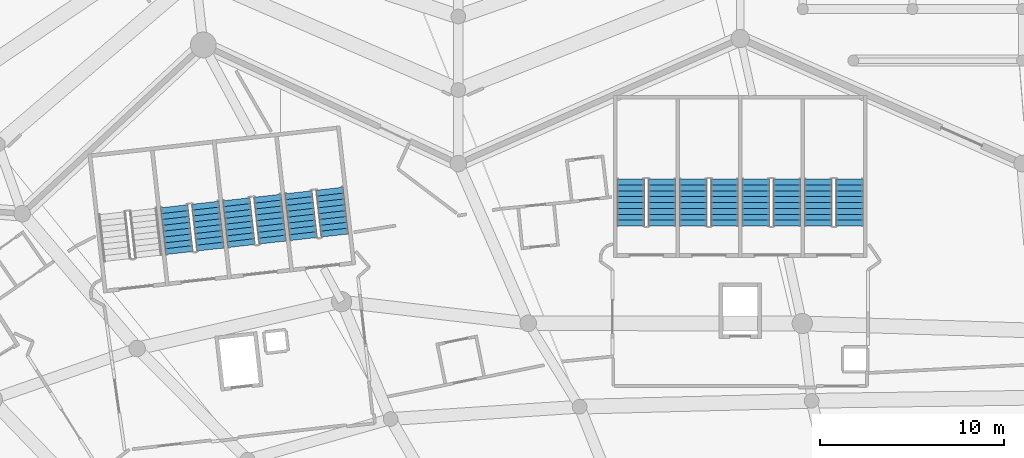
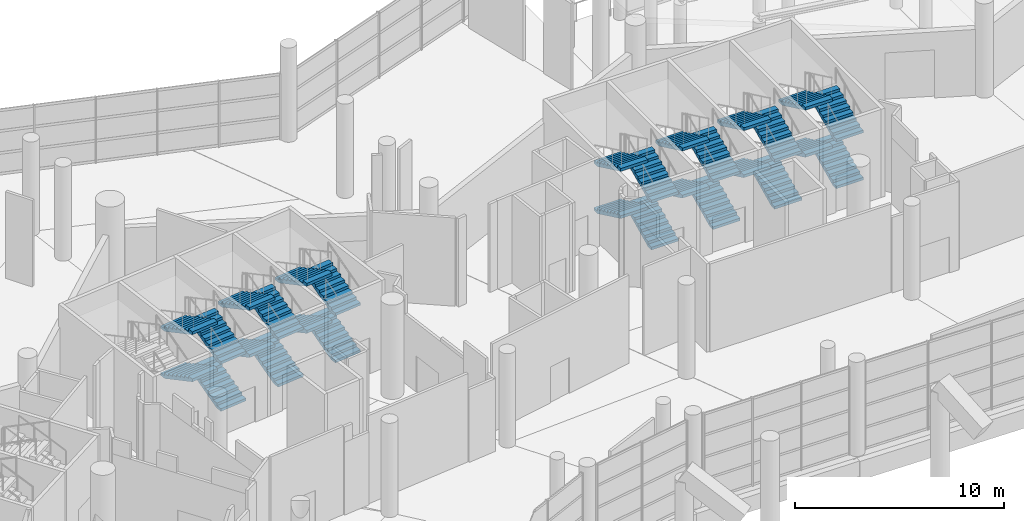
# One storey, part 216 of 271: 28 stair flights, 7 elements without a shape of their own.
"""IFC4 building model written with IfcOpenShell, lengths in metres."""

from ifc_helpers import new_model, si_unit, direction, frame, origin, place, context, subcontext, project, spatial, polyline, outline, extrude, material, type_object, element, aggregate, save


model = new_model("IFC4")

# Units and contexts
model_context = context("Model", 3, precision=1e-05, world=origin(), true_north=direction((0.0, 1.0)))
body_context = subcontext(model_context, "Body", "Model", "MODEL_VIEW")
ifc_project = project(units=[si_unit("LENGTHUNIT", "METRE"), si_unit("AREAUNIT", "SQUARE_METRE"), si_unit("VOLUMEUNIT", "CUBIC_METRE"), si_unit("PLANEANGLEUNIT", "RADIAN"), si_unit("MASSUNIT", "GRAM", prefix="KILO")], contexts=[model_context])

# Site, building, storey
site_placement = place(None, origin())
site = spatial("IfcSite", under=ifc_project, at=site_placement, CompositionType="ELEMENT")
building_placement = place(site_placement, origin())
building = spatial("IfcBuilding", under=site, at=building_placement, Name="Meseta Stadium", CompositionType="ELEMENT")
storey_placement = place(building_placement, frame((0.0, 0.0, 6.5)))
storey = spatial("IfcBuildingStorey", under=building, at=storey_placement, Name="L01", CompositionType="ELEMENT", Elevation=6.5)

# Stair, stair flights
ifc_material_1 = material(Name="Concrete C40/50", Category="concrete")
stair_type = type_object("IfcStairType", Name="Exit stair 4 flights 153 mm risers", PredefinedType="HALF_TURN_STAIR", material=ifc_material_1)
stair_1_placement = place(storey_placement, origin())
stair_1 = element("IfcStair", 1, at=stair_1_placement, inside=storey, type_object=stair_type, Name="ST41 L01", PredefinedType="HALF_TURN_STAIR")
ifc_material_2 = material(Name="Concrete C40/50", Category="concrete")
stair_flight_type = type_object("IfcStairFlightType", Name="Exit stair flight 153 mm risers, 4 per storey", PredefinedType="STRAIGHT", material=ifc_material_2)
stair_flight_1_placement = place(storey_placement, frame((-17.050048828125, 95.199951171875, 0.0), z_axis=(0.0, 0.0, 1.0), x_axis=(0.0, 1.0, 0.0)))
stair_flight_1 = element("IfcStairFlight", 2, at=stair_flight_1_placement, type_object=stair_flight_type, Name="ST41 L01 flight 1", NumberOfRisers=9, NumberOfTreads=8, PredefinedType="STRAIGHT", RiserHeight=0.152777778, TreadLength=0.32, context=body_context, shape_type="SweptSolid", body=[
    extrude(outline(polyline([(0.0, 0.0), (0.0, 0.15283203125), (0.320068359375, 0.15283203125), (0.320068359375, 0.3056640625), (0.639892578125, 0.3056640625), (0.639892578125, 0.458251953125), (0.9599609375, 0.458251953125), (0.9599609375, 0.611083984375), (1.280029296875, 0.611083984375), (1.280029296875, 0.763916015625), (1.60009765625, 0.763916015625), (1.60009765625, 0.916748046875), (1.919921875, 0.916748046875), (1.919921875, 1.0693359375), (2.239990234375, 1.0693359375), (2.239990234375, 1.22216796875), (2.56005859375, 1.22216796875), (2.56005859375, 1.05615234375), (0.347900390625, 0.0), (0.0, 0.0)])), frame((0.0, 0.75, 0.0), z_axis=(0.0, -1.0, 0.0), x_axis=(1.0, 0.0, 0.0)), (0.0, 0.0, 1.0), 1.5),
])
stair_flight_2_placement = place(storey_placement, frame((-18.75, 97.760009765625, 1.375), z_axis=(0.0, 0.0, 1.0), x_axis=(0.0, -1.0, 0.0)))
stair_flight_2 = element("IfcStairFlight", 3, at=stair_flight_2_placement, type_object=stair_flight_type, Name="ST41 L01 flight 2", NumberOfRisers=9, NumberOfTreads=8, PredefinedType="STRAIGHT", RiserHeight=0.152777778, TreadLength=0.32, context=body_context, shape_type="SweptSolid", body=[
    extrude(outline(polyline([(0.0, 0.0), (0.0, 0.15283203125), (0.320068359375, 0.15283203125), (0.320068359375, 0.3056640625), (0.639892578125, 0.3056640625), (0.639892578125, 0.458251953125), (0.9599609375, 0.458251953125), (0.9599609375, 0.611083984375), (1.280029296875, 0.611083984375), (1.280029296875, 0.763916015625), (1.60009765625, 0.763916015625), (1.60009765625, 0.916748046875), (1.919921875, 0.916748046875), (1.919921875, 1.0693359375), (2.239990234375, 1.0693359375), (2.239990234375, 1.22216796875), (2.56005859375, 1.22216796875), (2.56005859375, 1.05615234375), (0.347900390625, 0.0), (0.0, 0.0)])), frame((0.0, 0.75, 0.0), z_axis=(0.0, -1.0, 0.0), x_axis=(1.0, 0.0, 0.0)), (0.0, 0.0, 1.0), 1.5),
])
stair_flight_3_placement = place(storey_placement, frame((-17.050048828125, 95.199951171875, 2.75), z_axis=(0.0, 0.0, 1.0), x_axis=(0.0, 1.0, 0.0)))
stair_flight_3 = element("IfcStairFlight", 4, at=stair_flight_3_placement, type_object=stair_flight_type, Name="ST41 L01 flight 3", NumberOfRisers=9, NumberOfTreads=8, PredefinedType="STRAIGHT", RiserHeight=0.152777778, TreadLength=0.32, context=body_context, shape_type="SweptSolid", body=[
    extrude(outline(polyline([(0.0, 0.0), (0.0, 0.15283203125), (0.320068359375, 0.15283203125), (0.320068359375, 0.3056640625), (0.639892578125, 0.3056640625), (0.639892578125, 0.458251953125), (0.9599609375, 0.458251953125), (0.9599609375, 0.611083984375), (1.280029296875, 0.611083984375), (1.280029296875, 0.763916015625), (1.60009765625, 0.763916015625), (1.60009765625, 0.916748046875), (1.919921875, 0.916748046875), (1.919921875, 1.0693359375), (2.239990234375, 1.0693359375), (2.239990234375, 1.22216796875), (2.56005859375, 1.22216796875), (2.56005859375, 1.05615234375), (0.347900390625, 0.0), (0.0, 0.0)])), frame((0.0, 0.75, 0.0), z_axis=(0.0, -1.0, 0.0), x_axis=(1.0, 0.0, 0.0)), (0.0, 0.0, 1.0), 1.5),
])
stair_flight_4_placement = place(storey_placement, frame((-18.75, 97.760009765625, 4.125), z_axis=(0.0, 0.0, 1.0), x_axis=(0.0, -1.0, 0.0)))
stair_flight_4 = element("IfcStairFlight", 5, at=stair_flight_4_placement, type_object=stair_flight_type, Name="ST41 L01 flight 4", NumberOfRisers=9, NumberOfTreads=8, PredefinedType="STRAIGHT", RiserHeight=0.152777778, TreadLength=0.32, context=body_context, shape_type="SweptSolid", body=[
    extrude(outline(polyline([(0.0, 0.0), (0.0, 0.15283203125), (0.320068359375, 0.15283203125), (0.320068359375, 0.3056640625), (0.639892578125, 0.3056640625), (0.639892578125, 0.458251953125), (0.9599609375, 0.458251953125), (0.9599609375, 0.611083984375), (1.280029296875, 0.611083984375), (1.280029296875, 0.763916015625), (1.60009765625, 0.763916015625), (1.60009765625, 0.916748046875), (1.919921875, 0.916748046875), (1.919921875, 1.0693359375), (2.239990234375, 1.0693359375), (2.239990234375, 1.22216796875), (2.56005859375, 1.22216796875), (2.56005859375, 1.05615234375), (0.347900390625, 0.0), (0.0, 0.0)])), frame((0.0, 0.75, 0.0), z_axis=(0.0, -1.0, 0.0), x_axis=(1.0, 0.0, 0.0)), (0.0, 0.0, 1.0), 1.5),
])
aggregate(stair_1, [stair_flight_1, stair_flight_2, stair_flight_3, stair_flight_4])

stair_2_placement = place(storey_placement, origin())
stair_2 = element("IfcStair", 6, at=stair_2_placement, inside=storey, type_object=stair_type, Name="ST42 L01", PredefinedType="HALF_TURN_STAIR")
stair_flight_5_placement = place(storey_placement, frame((-20.449951171875, 95.199951171875, 0.0), z_axis=(0.0, 0.0, 1.0), x_axis=(0.0, 1.0, 0.0)))
stair_flight_5 = element("IfcStairFlight", 7, at=stair_flight_5_placement, type_object=stair_flight_type, Name="ST42 L01 flight 1", NumberOfRisers=9, NumberOfTreads=8, PredefinedType="STRAIGHT", RiserHeight=0.152777778, TreadLength=0.32, context=body_context, shape_type="SweptSolid", body=[
    extrude(outline(polyline([(0.0, 0.0), (0.0, 0.15283203125), (0.320068359375, 0.15283203125), (0.320068359375, 0.3056640625), (0.639892578125, 0.3056640625), (0.639892578125, 0.458251953125), (0.9599609375, 0.458251953125), (0.9599609375, 0.611083984375), (1.280029296875, 0.611083984375), (1.280029296875, 0.763916015625), (1.60009765625, 0.763916015625), (1.60009765625, 0.916748046875), (1.919921875, 0.916748046875), (1.919921875, 1.0693359375), (2.239990234375, 1.0693359375), (2.239990234375, 1.22216796875), (2.56005859375, 1.22216796875), (2.56005859375, 1.05615234375), (0.347900390625, 0.0), (0.0, 0.0)])), frame((0.0, 0.75, 0.0), z_axis=(0.0, -1.0, 0.0), x_axis=(1.0, 0.0, 0.0)), (0.0, 0.0, 1.0), 1.5),
])
stair_flight_6_placement = place(storey_placement, frame((-22.14990234375, 97.760009765625, 1.375), z_axis=(0.0, 0.0, 1.0), x_axis=(0.0, -1.0, 0.0)))
stair_flight_6 = element("IfcStairFlight", 8, at=stair_flight_6_placement, type_object=stair_flight_type, Name="ST42 L01 flight 2", NumberOfRisers=9, NumberOfTreads=8, PredefinedType="STRAIGHT", RiserHeight=0.152777778, TreadLength=0.32, context=body_context, shape_type="SweptSolid", body=[
    extrude(outline(polyline([(0.0, 0.0), (0.0, 0.15283203125), (0.320068359375, 0.15283203125), (0.320068359375, 0.3056640625), (0.639892578125, 0.3056640625), (0.639892578125, 0.458251953125), (0.9599609375, 0.458251953125), (0.9599609375, 0.611083984375), (1.280029296875, 0.611083984375), (1.280029296875, 0.763916015625), (1.60009765625, 0.763916015625), (1.60009765625, 0.916748046875), (1.919921875, 0.916748046875), (1.919921875, 1.0693359375), (2.239990234375, 1.0693359375), (2.239990234375, 1.22216796875), (2.56005859375, 1.22216796875), (2.56005859375, 1.05615234375), (0.347900390625, 0.0), (0.0, 0.0)])), frame((0.0, 0.75, 0.0), z_axis=(0.0, -1.0, 0.0), x_axis=(1.0, 0.0, 0.0)), (0.0, 0.0, 1.0), 1.5),
])
stair_flight_7_placement = place(storey_placement, frame((-20.449951171875, 95.199951171875, 2.75), z_axis=(0.0, 0.0, 1.0), x_axis=(0.0, 1.0, 0.0)))
stair_flight_7 = element("IfcStairFlight", 9, at=stair_flight_7_placement, type_object=stair_flight_type, Name="ST42 L01 flight 3", NumberOfRisers=9, NumberOfTreads=8, PredefinedType="STRAIGHT", RiserHeight=0.152777778, TreadLength=0.32, context=body_context, shape_type="SweptSolid", body=[
    extrude(outline(polyline([(0.0, 0.0), (0.0, 0.15283203125), (0.320068359375, 0.15283203125), (0.320068359375, 0.3056640625), (0.639892578125, 0.3056640625), (0.639892578125, 0.458251953125), (0.9599609375, 0.458251953125), (0.9599609375, 0.611083984375), (1.280029296875, 0.611083984375), (1.280029296875, 0.763916015625), (1.60009765625, 0.763916015625), (1.60009765625, 0.916748046875), (1.919921875, 0.916748046875), (1.919921875, 1.0693359375), (2.239990234375, 1.0693359375), (2.239990234375, 1.22216796875), (2.56005859375, 1.22216796875), (2.56005859375, 1.05615234375), (0.347900390625, 0.0), (0.0, 0.0)])), frame((0.0, 0.75, 0.0), z_axis=(0.0, -1.0, 0.0), x_axis=(1.0, 0.0, 0.0)), (0.0, 0.0, 1.0), 1.5),
])
stair_flight_8_placement = place(storey_placement, frame((-22.14990234375, 97.760009765625, 4.125), z_axis=(0.0, 0.0, 1.0), x_axis=(0.0, -1.0, 0.0)))
stair_flight_8 = element("IfcStairFlight", 10, at=stair_flight_8_placement, type_object=stair_flight_type, Name="ST42 L01 flight 4", NumberOfRisers=9, NumberOfTreads=8, PredefinedType="STRAIGHT", RiserHeight=0.152777778, TreadLength=0.32, context=body_context, shape_type="SweptSolid", body=[
    extrude(outline(polyline([(0.0, 0.0), (0.0, 0.15283203125), (0.320068359375, 0.15283203125), (0.320068359375, 0.3056640625), (0.639892578125, 0.3056640625), (0.639892578125, 0.458251953125), (0.9599609375, 0.458251953125), (0.9599609375, 0.611083984375), (1.280029296875, 0.611083984375), (1.280029296875, 0.763916015625), (1.60009765625, 0.763916015625), (1.60009765625, 0.916748046875), (1.919921875, 0.916748046875), (1.919921875, 1.0693359375), (2.239990234375, 1.0693359375), (2.239990234375, 1.22216796875), (2.56005859375, 1.22216796875), (2.56005859375, 1.05615234375), (0.347900390625, 0.0), (0.0, 0.0)])), frame((0.0, 0.75, 0.0), z_axis=(0.0, -1.0, 0.0), x_axis=(1.0, 0.0, 0.0)), (0.0, 0.0, 1.0), 1.5),
])
aggregate(stair_2, [stair_flight_5, stair_flight_6, stair_flight_7, stair_flight_8])

stair_3_placement = place(storey_placement, origin())
stair_3 = element("IfcStair", 11, at=stair_3_placement, inside=storey, type_object=stair_type, Name="ST43 L01", PredefinedType="HALF_TURN_STAIR")
stair_flight_9_placement = place(storey_placement, frame((-23.85009765625, 95.199951171875, 0.0), z_axis=(0.0, 0.0, 1.0), x_axis=(0.0, 1.0, 0.0)))
stair_flight_9 = element("IfcStairFlight", 12, at=stair_flight_9_placement, type_object=stair_flight_type, Name="ST43 L01 flight 1", NumberOfRisers=9, NumberOfTreads=8, PredefinedType="STRAIGHT", RiserHeight=0.152777778, TreadLength=0.32, context=body_context, shape_type="SweptSolid", body=[
    extrude(outline(polyline([(0.0, 0.0), (0.0, 0.15283203125), (0.320068359375, 0.15283203125), (0.320068359375, 0.3056640625), (0.639892578125, 0.3056640625), (0.639892578125, 0.458251953125), (0.9599609375, 0.458251953125), (0.9599609375, 0.611083984375), (1.280029296875, 0.611083984375), (1.280029296875, 0.763916015625), (1.60009765625, 0.763916015625), (1.60009765625, 0.916748046875), (1.919921875, 0.916748046875), (1.919921875, 1.0693359375), (2.239990234375, 1.0693359375), (2.239990234375, 1.22216796875), (2.56005859375, 1.22216796875), (2.56005859375, 1.05615234375), (0.347900390625, 0.0), (0.0, 0.0)])), frame((0.0, 0.75, 0.0), z_axis=(0.0, -1.0, 0.0), x_axis=(1.0, 0.0, 0.0)), (0.0, 0.0, 1.0), 1.5),
])
stair_flight_10_placement = place(storey_placement, frame((-25.550048828125, 97.760009765625, 1.375), z_axis=(0.0, 0.0, 1.0), x_axis=(0.0, -1.0, 0.0)))
stair_flight_10 = element("IfcStairFlight", 13, at=stair_flight_10_placement, type_object=stair_flight_type, Name="ST43 L01 flight 2", NumberOfRisers=9, NumberOfTreads=8, PredefinedType="STRAIGHT", RiserHeight=0.152777778, TreadLength=0.32, context=body_context, shape_type="SweptSolid", body=[
    extrude(outline(polyline([(0.0, 0.0), (0.0, 0.15283203125), (0.320068359375, 0.15283203125), (0.320068359375, 0.3056640625), (0.639892578125, 0.3056640625), (0.639892578125, 0.458251953125), (0.9599609375, 0.458251953125), (0.9599609375, 0.611083984375), (1.280029296875, 0.611083984375), (1.280029296875, 0.763916015625), (1.60009765625, 0.763916015625), (1.60009765625, 0.916748046875), (1.919921875, 0.916748046875), (1.919921875, 1.0693359375), (2.239990234375, 1.0693359375), (2.239990234375, 1.22216796875), (2.56005859375, 1.22216796875), (2.56005859375, 1.05615234375), (0.347900390625, 0.0), (0.0, 0.0)])), frame((0.0, 0.75, 0.0), z_axis=(0.0, -1.0, 0.0), x_axis=(1.0, 0.0, 0.0)), (0.0, 0.0, 1.0), 1.5),
])
stair_flight_11_placement = place(storey_placement, frame((-23.85009765625, 95.199951171875, 2.75), z_axis=(0.0, 0.0, 1.0), x_axis=(0.0, 1.0, 0.0)))
stair_flight_11 = element("IfcStairFlight", 14, at=stair_flight_11_placement, type_object=stair_flight_type, Name="ST43 L01 flight 3", NumberOfRisers=9, NumberOfTreads=8, PredefinedType="STRAIGHT", RiserHeight=0.152777778, TreadLength=0.32, context=body_context, shape_type="SweptSolid", body=[
    extrude(outline(polyline([(0.0, 0.0), (0.0, 0.15283203125), (0.320068359375, 0.15283203125), (0.320068359375, 0.3056640625), (0.639892578125, 0.3056640625), (0.639892578125, 0.458251953125), (0.9599609375, 0.458251953125), (0.9599609375, 0.611083984375), (1.280029296875, 0.611083984375), (1.280029296875, 0.763916015625), (1.60009765625, 0.763916015625), (1.60009765625, 0.916748046875), (1.919921875, 0.916748046875), (1.919921875, 1.0693359375), (2.239990234375, 1.0693359375), (2.239990234375, 1.22216796875), (2.56005859375, 1.22216796875), (2.56005859375, 1.05615234375), (0.347900390625, 0.0), (0.0, 0.0)])), frame((0.0, 0.75, 0.0), z_axis=(0.0, -1.0, 0.0), x_axis=(1.0, 0.0, 0.0)), (0.0, 0.0, 1.0), 1.5),
])
stair_flight_12_placement = place(storey_placement, frame((-25.550048828125, 97.760009765625, 4.125), z_axis=(0.0, 0.0, 1.0), x_axis=(0.0, -1.0, 0.0)))
stair_flight_12 = element("IfcStairFlight", 15, at=stair_flight_12_placement, type_object=stair_flight_type, Name="ST43 L01 flight 4", NumberOfRisers=9, NumberOfTreads=8, PredefinedType="STRAIGHT", RiserHeight=0.152777778, TreadLength=0.32, context=body_context, shape_type="SweptSolid", body=[
    extrude(outline(polyline([(0.0, 0.0), (0.0, 0.15283203125), (0.320068359375, 0.15283203125), (0.320068359375, 0.3056640625), (0.639892578125, 0.3056640625), (0.639892578125, 0.458251953125), (0.9599609375, 0.458251953125), (0.9599609375, 0.611083984375), (1.280029296875, 0.611083984375), (1.280029296875, 0.763916015625), (1.60009765625, 0.763916015625), (1.60009765625, 0.916748046875), (1.919921875, 0.916748046875), (1.919921875, 1.0693359375), (2.239990234375, 1.0693359375), (2.239990234375, 1.22216796875), (2.56005859375, 1.22216796875), (2.56005859375, 1.05615234375), (0.347900390625, 0.0), (0.0, 0.0)])), frame((0.0, 0.75, 0.0), z_axis=(0.0, -1.0, 0.0), x_axis=(1.0, 0.0, 0.0)), (0.0, 0.0, 1.0), 1.5),
])
aggregate(stair_3, [stair_flight_9, stair_flight_10, stair_flight_11, stair_flight_12])

stair_4_placement = place(storey_placement, origin())
stair_4 = element("IfcStair", 16, at=stair_4_placement, inside=storey, type_object=stair_type, Name="ST44 L01", PredefinedType="HALF_TURN_STAIR")
stair_flight_13_placement = place(storey_placement, frame((-27.25, 95.199951171875, 0.0), z_axis=(0.0, 0.0, 1.0), x_axis=(0.0, 1.0, 0.0)))
stair_flight_13 = element("IfcStairFlight", 17, at=stair_flight_13_placement, type_object=stair_flight_type, Name="ST44 L01 flight 1", NumberOfRisers=9, NumberOfTreads=8, PredefinedType="STRAIGHT", RiserHeight=0.152777778, TreadLength=0.32, context=body_context, shape_type="SweptSolid", body=[
    extrude(outline(polyline([(0.0, 0.0), (0.0, 0.15283203125), (0.320068359375, 0.15283203125), (0.320068359375, 0.3056640625), (0.639892578125, 0.3056640625), (0.639892578125, 0.458251953125), (0.9599609375, 0.458251953125), (0.9599609375, 0.611083984375), (1.280029296875, 0.611083984375), (1.280029296875, 0.763916015625), (1.60009765625, 0.763916015625), (1.60009765625, 0.916748046875), (1.919921875, 0.916748046875), (1.919921875, 1.0693359375), (2.239990234375, 1.0693359375), (2.239990234375, 1.22216796875), (2.56005859375, 1.22216796875), (2.56005859375, 1.05615234375), (0.347900390625, 0.0), (0.0, 0.0)])), frame((0.0, 0.75, 0.0), z_axis=(0.0, -1.0, 0.0), x_axis=(1.0, 0.0, 0.0)), (0.0, 0.0, 1.0), 1.5),
])
stair_flight_14_placement = place(storey_placement, frame((-28.949951171875, 97.760009765625, 1.375), z_axis=(0.0, 0.0, 1.0), x_axis=(0.0, -1.0, 0.0)))
stair_flight_14 = element("IfcStairFlight", 18, at=stair_flight_14_placement, type_object=stair_flight_type, Name="ST44 L01 flight 2", NumberOfRisers=9, NumberOfTreads=8, PredefinedType="STRAIGHT", RiserHeight=0.152777778, TreadLength=0.32, context=body_context, shape_type="SweptSolid", body=[
    extrude(outline(polyline([(0.0, 0.0), (0.0, 0.15283203125), (0.320068359375, 0.15283203125), (0.320068359375, 0.3056640625), (0.639892578125, 0.3056640625), (0.639892578125, 0.458251953125), (0.9599609375, 0.458251953125), (0.9599609375, 0.611083984375), (1.280029296875, 0.611083984375), (1.280029296875, 0.763916015625), (1.60009765625, 0.763916015625), (1.60009765625, 0.916748046875), (1.919921875, 0.916748046875), (1.919921875, 1.0693359375), (2.239990234375, 1.0693359375), (2.239990234375, 1.22216796875), (2.56005859375, 1.22216796875), (2.56005859375, 1.05615234375), (0.347900390625, 0.0), (0.0, 0.0)])), frame((0.0, 0.75, 0.0), z_axis=(0.0, -1.0, 0.0), x_axis=(1.0, 0.0, 0.0)), (0.0, 0.0, 1.0), 1.5),
])
stair_flight_15_placement = place(storey_placement, frame((-27.25, 95.199951171875, 2.75), z_axis=(0.0, 0.0, 1.0), x_axis=(0.0, 1.0, 0.0)))
stair_flight_15 = element("IfcStairFlight", 19, at=stair_flight_15_placement, type_object=stair_flight_type, Name="ST44 L01 flight 3", NumberOfRisers=9, NumberOfTreads=8, PredefinedType="STRAIGHT", RiserHeight=0.152777778, TreadLength=0.32, context=body_context, shape_type="SweptSolid", body=[
    extrude(outline(polyline([(0.0, 0.0), (0.0, 0.15283203125), (0.320068359375, 0.15283203125), (0.320068359375, 0.3056640625), (0.639892578125, 0.3056640625), (0.639892578125, 0.458251953125), (0.9599609375, 0.458251953125), (0.9599609375, 0.611083984375), (1.280029296875, 0.611083984375), (1.280029296875, 0.763916015625), (1.60009765625, 0.763916015625), (1.60009765625, 0.916748046875), (1.919921875, 0.916748046875), (1.919921875, 1.0693359375), (2.239990234375, 1.0693359375), (2.239990234375, 1.22216796875), (2.56005859375, 1.22216796875), (2.56005859375, 1.05615234375), (0.347900390625, 0.0), (0.0, 0.0)])), frame((0.0, 0.75, 0.0), z_axis=(0.0, -1.0, 0.0), x_axis=(1.0, 0.0, 0.0)), (0.0, 0.0, 1.0), 1.5),
])
stair_flight_16_placement = place(storey_placement, frame((-28.949951171875, 97.760009765625, 4.125), z_axis=(0.0, 0.0, 1.0), x_axis=(0.0, -1.0, 0.0)))
stair_flight_16 = element("IfcStairFlight", 20, at=stair_flight_16_placement, type_object=stair_flight_type, Name="ST44 L01 flight 4", NumberOfRisers=9, NumberOfTreads=8, PredefinedType="STRAIGHT", RiserHeight=0.152777778, TreadLength=0.32, context=body_context, shape_type="SweptSolid", body=[
    extrude(outline(polyline([(0.0, 0.0), (0.0, 0.15283203125), (0.320068359375, 0.15283203125), (0.320068359375, 0.3056640625), (0.639892578125, 0.3056640625), (0.639892578125, 0.458251953125), (0.9599609375, 0.458251953125), (0.9599609375, 0.611083984375), (1.280029296875, 0.611083984375), (1.280029296875, 0.763916015625), (1.60009765625, 0.763916015625), (1.60009765625, 0.916748046875), (1.919921875, 0.916748046875), (1.919921875, 1.0693359375), (2.239990234375, 1.0693359375), (2.239990234375, 1.22216796875), (2.56005859375, 1.22216796875), (2.56005859375, 1.05615234375), (0.347900390625, 0.0), (0.0, 0.0)])), frame((0.0, 0.75, 0.0), z_axis=(0.0, -1.0, 0.0), x_axis=(1.0, 0.0, 0.0)), (0.0, 0.0, 1.0), 1.5),
])
aggregate(stair_4, [stair_flight_13, stair_flight_14, stair_flight_15, stair_flight_16])

stair_5_placement = place(storey_placement, origin())
stair_5 = element("IfcStair", 21, at=stair_5_placement, inside=storey, type_object=stair_type, Name="ST45 L01", PredefinedType="HALF_TURN_STAIR")
stair_flight_17_placement = place(storey_placement, frame((-45.04736328125, 94.687744140625, 0.0), z_axis=(0.0, 0.0, 1.0), x_axis=(-0.11196446867, 0.993712210731, 0.0)))
stair_flight_17 = element("IfcStairFlight", 22, at=stair_flight_17_placement, type_object=stair_flight_type, Name="ST45 L01 flight 1", NumberOfRisers=9, NumberOfTreads=8, PredefinedType="STRAIGHT", RiserHeight=0.152777778, TreadLength=0.32, context=body_context, shape_type="SweptSolid", body=[
    extrude(outline(polyline([(0.0, 0.0), (0.0, 0.15283203125), (0.320068359375, 0.15283203125), (0.320068359375, 0.3056640625), (0.639892578125, 0.3056640625), (0.639892578125, 0.458251953125), (0.9599609375, 0.458251953125), (0.9599609375, 0.611083984375), (1.280029296875, 0.611083984375), (1.280029296875, 0.763916015625), (1.60009765625, 0.763916015625), (1.60009765625, 0.916748046875), (1.919921875, 0.916748046875), (1.919921875, 1.0693359375), (2.239990234375, 1.0693359375), (2.239990234375, 1.22216796875), (2.56005859375, 1.22216796875), (2.56005859375, 1.05615234375), (0.347900390625, 0.0), (0.0, 0.0)])), frame((0.0, 0.75, 0.0), z_axis=(0.0, -1.0, 0.0), x_axis=(1.0, 0.0, 0.0)), (0.0, 0.0, 1.0), 1.5),
])
stair_flight_18_placement = place(storey_placement, frame((-47.0234375, 97.041259765625, 1.375), z_axis=(0.0, 0.0, 1.0), x_axis=(0.11196446867, -0.993712210731, 0.0)))
stair_flight_18 = element("IfcStairFlight", 23, at=stair_flight_18_placement, type_object=stair_flight_type, Name="ST45 L01 flight 2", NumberOfRisers=9, NumberOfTreads=8, PredefinedType="STRAIGHT", RiserHeight=0.152777778, TreadLength=0.32, context=body_context, shape_type="SweptSolid", body=[
    extrude(outline(polyline([(0.0, 0.0), (0.0, 0.15283203125), (0.320068359375, 0.15283203125), (0.320068359375, 0.3056640625), (0.639892578125, 0.3056640625), (0.639892578125, 0.458251953125), (0.9599609375, 0.458251953125), (0.9599609375, 0.611083984375), (1.280029296875, 0.611083984375), (1.280029296875, 0.763916015625), (1.60009765625, 0.763916015625), (1.60009765625, 0.916748046875), (1.919921875, 0.916748046875), (1.919921875, 1.0693359375), (2.239990234375, 1.0693359375), (2.239990234375, 1.22216796875), (2.56005859375, 1.22216796875), (2.56005859375, 1.05615234375), (0.347900390625, 0.0), (0.0, 0.0)])), frame((0.0, 0.75, 0.0), z_axis=(0.0, -1.0, 0.0), x_axis=(1.0, 0.0, 0.0)), (0.0, 0.0, 1.0), 1.5),
])
stair_flight_19_placement = place(storey_placement, frame((-45.04736328125, 94.687744140625, 2.75), z_axis=(0.0, 0.0, 1.0), x_axis=(-0.11196446867, 0.993712210731, 0.0)))
stair_flight_19 = element("IfcStairFlight", 24, at=stair_flight_19_placement, type_object=stair_flight_type, Name="ST45 L01 flight 3", NumberOfRisers=9, NumberOfTreads=8, PredefinedType="STRAIGHT", RiserHeight=0.152777778, TreadLength=0.32, context=body_context, shape_type="SweptSolid", body=[
    extrude(outline(polyline([(0.0, 0.0), (0.0, 0.15283203125), (0.320068359375, 0.15283203125), (0.320068359375, 0.3056640625), (0.639892578125, 0.3056640625), (0.639892578125, 0.458251953125), (0.9599609375, 0.458251953125), (0.9599609375, 0.611083984375), (1.280029296875, 0.611083984375), (1.280029296875, 0.763916015625), (1.60009765625, 0.763916015625), (1.60009765625, 0.916748046875), (1.919921875, 0.916748046875), (1.919921875, 1.0693359375), (2.239990234375, 1.0693359375), (2.239990234375, 1.22216796875), (2.56005859375, 1.22216796875), (2.56005859375, 1.05615234375), (0.347900390625, 0.0), (0.0, 0.0)])), frame((0.0, 0.75, 0.0), z_axis=(0.0, -1.0, 0.0), x_axis=(1.0, 0.0, 0.0)), (0.0, 0.0, 1.0), 1.5),
])
stair_flight_20_placement = place(storey_placement, frame((-47.0234375, 97.041259765625, 4.125), z_axis=(0.0, 0.0, 1.0), x_axis=(0.11196446867, -0.993712210731, 0.0)))
stair_flight_20 = element("IfcStairFlight", 25, at=stair_flight_20_placement, type_object=stair_flight_type, Name="ST45 L01 flight 4", NumberOfRisers=9, NumberOfTreads=8, PredefinedType="STRAIGHT", RiserHeight=0.152777778, TreadLength=0.32, context=body_context, shape_type="SweptSolid", body=[
    extrude(outline(polyline([(0.0, 0.0), (0.0, 0.15283203125), (0.320068359375, 0.15283203125), (0.320068359375, 0.3056640625), (0.639892578125, 0.3056640625), (0.639892578125, 0.458251953125), (0.9599609375, 0.458251953125), (0.9599609375, 0.611083984375), (1.280029296875, 0.611083984375), (1.280029296875, 0.763916015625), (1.60009765625, 0.763916015625), (1.60009765625, 0.916748046875), (1.919921875, 0.916748046875), (1.919921875, 1.0693359375), (2.239990234375, 1.0693359375), (2.239990234375, 1.22216796875), (2.56005859375, 1.22216796875), (2.56005859375, 1.05615234375), (0.347900390625, 0.0), (0.0, 0.0)])), frame((0.0, 0.75, 0.0), z_axis=(0.0, -1.0, 0.0), x_axis=(1.0, 0.0, 0.0)), (0.0, 0.0, 1.0), 1.5),
])
aggregate(stair_5, [stair_flight_17, stair_flight_18, stair_flight_19, stair_flight_20])

stair_6_placement = place(storey_placement, origin())
stair_6 = element("IfcStair", 26, at=stair_6_placement, inside=storey, type_object=stair_type, Name="ST46 L01", PredefinedType="HALF_TURN_STAIR")
stair_flight_21_placement = place(storey_placement, frame((-48.426025390625, 94.306884765625, 0.0), z_axis=(0.0, 0.0, 1.0), x_axis=(-0.11196446867, 0.993712210731, 0.0)))
stair_flight_21 = element("IfcStairFlight", 27, at=stair_flight_21_placement, type_object=stair_flight_type, Name="ST46 L01 flight 1", NumberOfRisers=9, NumberOfTreads=8, PredefinedType="STRAIGHT", RiserHeight=0.152777778, TreadLength=0.32, context=body_context, shape_type="SweptSolid", body=[
    extrude(outline(polyline([(0.0, 0.0), (0.0, 0.15283203125), (0.320068359375, 0.15283203125), (0.320068359375, 0.3056640625), (0.639892578125, 0.3056640625), (0.639892578125, 0.458251953125), (0.9599609375, 0.458251953125), (0.9599609375, 0.611083984375), (1.280029296875, 0.611083984375), (1.280029296875, 0.763916015625), (1.60009765625, 0.763916015625), (1.60009765625, 0.916748046875), (1.919921875, 0.916748046875), (1.919921875, 1.0693359375), (2.239990234375, 1.0693359375), (2.239990234375, 1.22216796875), (2.56005859375, 1.22216796875), (2.56005859375, 1.05615234375), (0.347900390625, 0.0), (0.0, 0.0)])), frame((0.0, 0.75, 0.0), z_axis=(0.0, -1.0, 0.0), x_axis=(1.0, 0.0, 0.0)), (0.0, 0.0, 1.0), 1.5),
])
stair_flight_22_placement = place(storey_placement, frame((-50.402099609375, 96.66064453125, 1.375), z_axis=(0.0, 0.0, 1.0), x_axis=(0.11196446867, -0.993712210731, 0.0)))
stair_flight_22 = element("IfcStairFlight", 28, at=stair_flight_22_placement, type_object=stair_flight_type, Name="ST46 L01 flight 2", NumberOfRisers=9, NumberOfTreads=8, PredefinedType="STRAIGHT", RiserHeight=0.152777778, TreadLength=0.32, context=body_context, shape_type="SweptSolid", body=[
    extrude(outline(polyline([(0.0, 0.0), (0.0, 0.15283203125), (0.320068359375, 0.15283203125), (0.320068359375, 0.3056640625), (0.639892578125, 0.3056640625), (0.639892578125, 0.458251953125), (0.9599609375, 0.458251953125), (0.9599609375, 0.611083984375), (1.280029296875, 0.611083984375), (1.280029296875, 0.763916015625), (1.60009765625, 0.763916015625), (1.60009765625, 0.916748046875), (1.919921875, 0.916748046875), (1.919921875, 1.0693359375), (2.239990234375, 1.0693359375), (2.239990234375, 1.22216796875), (2.56005859375, 1.22216796875), (2.56005859375, 1.05615234375), (0.347900390625, 0.0), (0.0, 0.0)])), frame((0.0, 0.75, 0.0), z_axis=(0.0, -1.0, 0.0), x_axis=(1.0, 0.0, 0.0)), (0.0, 0.0, 1.0), 1.5),
])
stair_flight_23_placement = place(storey_placement, frame((-48.426025390625, 94.306884765625, 2.75), z_axis=(0.0, 0.0, 1.0), x_axis=(-0.11196446867, 0.993712210731, 0.0)))
stair_flight_23 = element("IfcStairFlight", 29, at=stair_flight_23_placement, type_object=stair_flight_type, Name="ST46 L01 flight 3", NumberOfRisers=9, NumberOfTreads=8, PredefinedType="STRAIGHT", RiserHeight=0.152777778, TreadLength=0.32, context=body_context, shape_type="SweptSolid", body=[
    extrude(outline(polyline([(0.0, 0.0), (0.0, 0.15283203125), (0.320068359375, 0.15283203125), (0.320068359375, 0.3056640625), (0.639892578125, 0.3056640625), (0.639892578125, 0.458251953125), (0.9599609375, 0.458251953125), (0.9599609375, 0.611083984375), (1.280029296875, 0.611083984375), (1.280029296875, 0.763916015625), (1.60009765625, 0.763916015625), (1.60009765625, 0.916748046875), (1.919921875, 0.916748046875), (1.919921875, 1.0693359375), (2.239990234375, 1.0693359375), (2.239990234375, 1.22216796875), (2.56005859375, 1.22216796875), (2.56005859375, 1.05615234375), (0.347900390625, 0.0), (0.0, 0.0)])), frame((0.0, 0.75, 0.0), z_axis=(0.0, -1.0, 0.0), x_axis=(1.0, 0.0, 0.0)), (0.0, 0.0, 1.0), 1.5),
])
stair_flight_24_placement = place(storey_placement, frame((-50.402099609375, 96.66064453125, 4.125), z_axis=(0.0, 0.0, 1.0), x_axis=(0.11196446867, -0.993712210731, 0.0)))
stair_flight_24 = element("IfcStairFlight", 30, at=stair_flight_24_placement, type_object=stair_flight_type, Name="ST46 L01 flight 4", NumberOfRisers=9, NumberOfTreads=8, PredefinedType="STRAIGHT", RiserHeight=0.152777778, TreadLength=0.32, context=body_context, shape_type="SweptSolid", body=[
    extrude(outline(polyline([(0.0, 0.0), (0.0, 0.15283203125), (0.320068359375, 0.15283203125), (0.320068359375, 0.3056640625), (0.639892578125, 0.3056640625), (0.639892578125, 0.458251953125), (0.9599609375, 0.458251953125), (0.9599609375, 0.611083984375), (1.280029296875, 0.611083984375), (1.280029296875, 0.763916015625), (1.60009765625, 0.763916015625), (1.60009765625, 0.916748046875), (1.919921875, 0.916748046875), (1.919921875, 1.0693359375), (2.239990234375, 1.0693359375), (2.239990234375, 1.22216796875), (2.56005859375, 1.22216796875), (2.56005859375, 1.05615234375), (0.347900390625, 0.0), (0.0, 0.0)])), frame((0.0, 0.75, 0.0), z_axis=(0.0, -1.0, 0.0), x_axis=(1.0, 0.0, 0.0)), (0.0, 0.0, 1.0), 1.5),
])
aggregate(stair_6, [stair_flight_21, stair_flight_22, stair_flight_23, stair_flight_24])

stair_7_placement = place(storey_placement, origin())
stair_7 = element("IfcStair", 31, at=stair_7_placement, inside=storey, type_object=stair_type, Name="ST47 L01", PredefinedType="HALF_TURN_STAIR")
stair_flight_25_placement = place(storey_placement, frame((-51.8046875, 93.92626953125, 0.0), z_axis=(0.0, 0.0, 1.0), x_axis=(-0.11196446867, 0.993712210731, 0.0)))
stair_flight_25 = element("IfcStairFlight", 32, at=stair_flight_25_placement, type_object=stair_flight_type, Name="ST47 L01 flight 1", NumberOfRisers=9, NumberOfTreads=8, PredefinedType="STRAIGHT", RiserHeight=0.152777778, TreadLength=0.32, context=body_context, shape_type="SweptSolid", body=[
    extrude(outline(polyline([(0.0, 0.0), (0.0, 0.15283203125), (0.320068359375, 0.15283203125), (0.320068359375, 0.3056640625), (0.639892578125, 0.3056640625), (0.639892578125, 0.458251953125), (0.9599609375, 0.458251953125), (0.9599609375, 0.611083984375), (1.280029296875, 0.611083984375), (1.280029296875, 0.763916015625), (1.60009765625, 0.763916015625), (1.60009765625, 0.916748046875), (1.919921875, 0.916748046875), (1.919921875, 1.0693359375), (2.239990234375, 1.0693359375), (2.239990234375, 1.22216796875), (2.56005859375, 1.22216796875), (2.56005859375, 1.05615234375), (0.347900390625, 0.0), (0.0, 0.0)])), frame((0.0, 0.75, 0.0), z_axis=(0.0, -1.0, 0.0), x_axis=(1.0, 0.0, 0.0)), (0.0, 0.0, 1.0), 1.5),
])
stair_flight_26_placement = place(storey_placement, frame((-53.780517578125, 96.27978515625, 1.375), z_axis=(0.0, 0.0, 1.0), x_axis=(0.11196446867, -0.993712210731, 0.0)))
stair_flight_26 = element("IfcStairFlight", 33, at=stair_flight_26_placement, type_object=stair_flight_type, Name="ST47 L01 flight 2", NumberOfRisers=9, NumberOfTreads=8, PredefinedType="STRAIGHT", RiserHeight=0.152777778, TreadLength=0.32, context=body_context, shape_type="SweptSolid", body=[
    extrude(outline(polyline([(0.0, 0.0), (0.0, 0.15283203125), (0.320068359375, 0.15283203125), (0.320068359375, 0.3056640625), (0.639892578125, 0.3056640625), (0.639892578125, 0.458251953125), (0.9599609375, 0.458251953125), (0.9599609375, 0.611083984375), (1.280029296875, 0.611083984375), (1.280029296875, 0.763916015625), (1.60009765625, 0.763916015625), (1.60009765625, 0.916748046875), (1.919921875, 0.916748046875), (1.919921875, 1.0693359375), (2.239990234375, 1.0693359375), (2.239990234375, 1.22216796875), (2.56005859375, 1.22216796875), (2.56005859375, 1.05615234375), (0.347900390625, 0.0), (0.0, 0.0)])), frame((0.0, 0.75, 0.0), z_axis=(0.0, -1.0, 0.0), x_axis=(1.0, 0.0, 0.0)), (0.0, 0.0, 1.0), 1.5),
])
stair_flight_27_placement = place(storey_placement, frame((-51.8046875, 93.92626953125, 2.75), z_axis=(0.0, 0.0, 1.0), x_axis=(-0.11196446867, 0.993712210731, 0.0)))
stair_flight_27 = element("IfcStairFlight", 34, at=stair_flight_27_placement, type_object=stair_flight_type, Name="ST47 L01 flight 3", NumberOfRisers=9, NumberOfTreads=8, PredefinedType="STRAIGHT", RiserHeight=0.152777778, TreadLength=0.32, context=body_context, shape_type="SweptSolid", body=[
    extrude(outline(polyline([(0.0, 0.0), (0.0, 0.15283203125), (0.320068359375, 0.15283203125), (0.320068359375, 0.3056640625), (0.639892578125, 0.3056640625), (0.639892578125, 0.458251953125), (0.9599609375, 0.458251953125), (0.9599609375, 0.611083984375), (1.280029296875, 0.611083984375), (1.280029296875, 0.763916015625), (1.60009765625, 0.763916015625), (1.60009765625, 0.916748046875), (1.919921875, 0.916748046875), (1.919921875, 1.0693359375), (2.239990234375, 1.0693359375), (2.239990234375, 1.22216796875), (2.56005859375, 1.22216796875), (2.56005859375, 1.05615234375), (0.347900390625, 0.0), (0.0, 0.0)])), frame((0.0, 0.75, 0.0), z_axis=(0.0, -1.0, 0.0), x_axis=(1.0, 0.0, 0.0)), (0.0, 0.0, 1.0), 1.5),
])
stair_flight_28_placement = place(storey_placement, frame((-53.780517578125, 96.27978515625, 4.125), z_axis=(0.0, 0.0, 1.0), x_axis=(0.11196446867, -0.993712210731, 0.0)))
stair_flight_28 = element("IfcStairFlight", 35, at=stair_flight_28_placement, type_object=stair_flight_type, Name="ST47 L01 flight 4", NumberOfRisers=9, NumberOfTreads=8, PredefinedType="STRAIGHT", RiserHeight=0.152777778, TreadLength=0.32, context=body_context, shape_type="SweptSolid", body=[
    extrude(outline(polyline([(0.0, 0.0), (0.0, 0.15283203125), (0.320068359375, 0.15283203125), (0.320068359375, 0.3056640625), (0.639892578125, 0.3056640625), (0.639892578125, 0.458251953125), (0.9599609375, 0.458251953125), (0.9599609375, 0.611083984375), (1.280029296875, 0.611083984375), (1.280029296875, 0.763916015625), (1.60009765625, 0.763916015625), (1.60009765625, 0.916748046875), (1.919921875, 0.916748046875), (1.919921875, 1.0693359375), (2.239990234375, 1.0693359375), (2.239990234375, 1.22216796875), (2.56005859375, 1.22216796875), (2.56005859375, 1.05615234375), (0.347900390625, 0.0), (0.0, 0.0)])), frame((0.0, 0.75, 0.0), z_axis=(0.0, -1.0, 0.0), x_axis=(1.0, 0.0, 0.0)), (0.0, 0.0, 1.0), 1.5),
])
aggregate(stair_7, [stair_flight_25, stair_flight_26, stair_flight_27, stair_flight_28])

save(model, "model.ifc")
